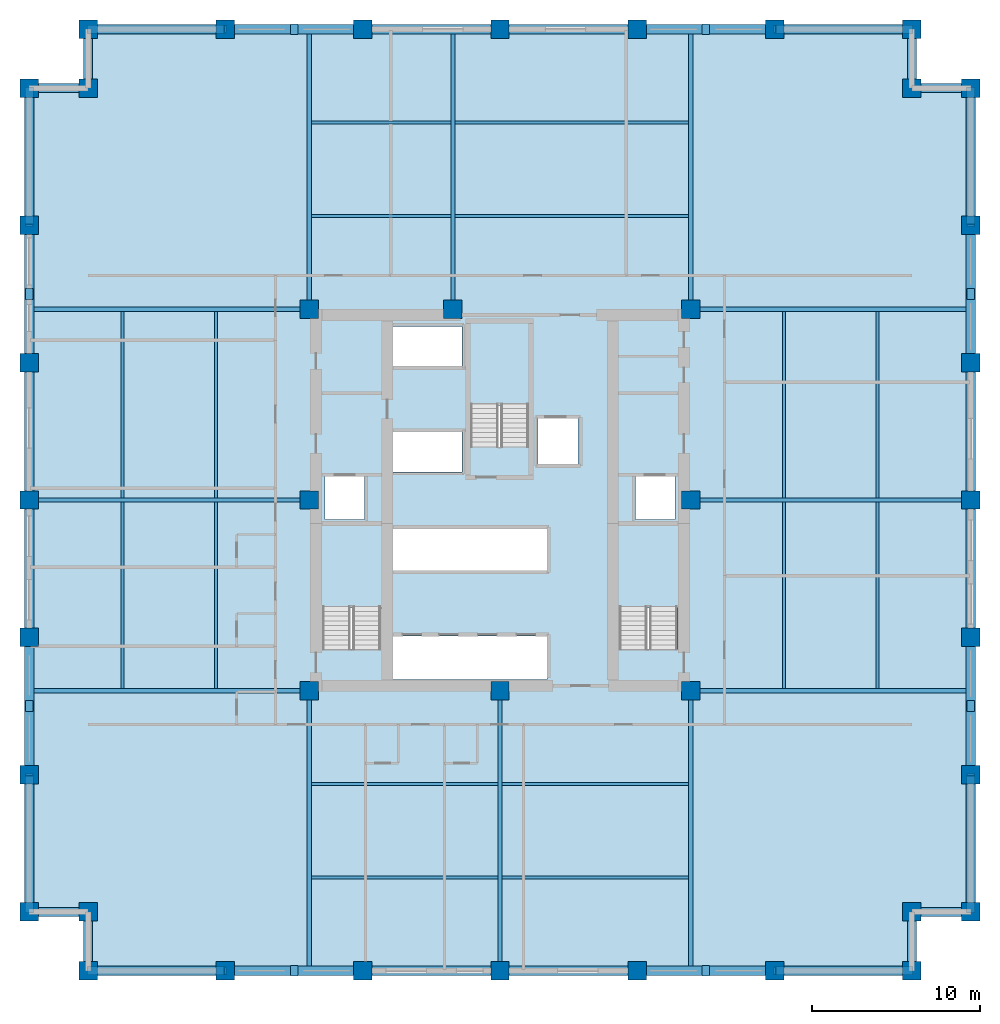
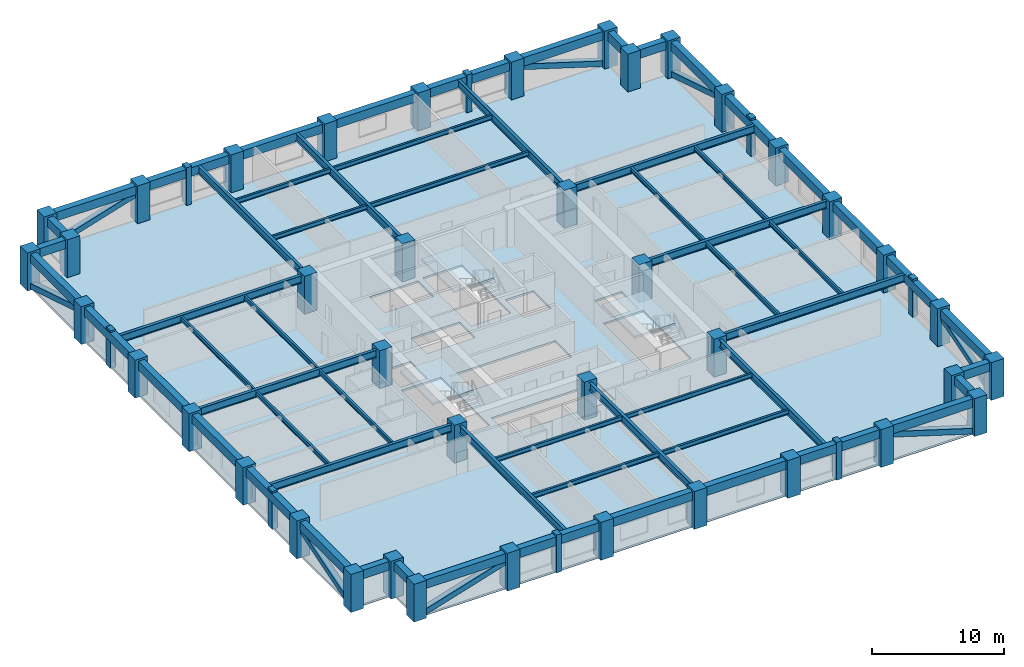
# One storey, part 1 of 7: 60 beams, 40 columns, 16 members, 4 slabs, 3 elements without a shape of their own.
"""IFC4 building model written with IfcOpenShell, lengths in metres."""

from ifc_helpers import new_model, si_unit, direction, frame, origin, origin_2d, place, context, subcontext, project, spatial, polyline, rectangle, hollow_rectangle, i_section, outline, extrude, material, layer, layer_set, material_profile, profile_set, type_object, element, aggregate, save


model = new_model("IFC4")

# Units and contexts
model_context = context("Model", 3, precision=1e-05, world=origin(), true_north=direction((0.0, 1.0)))
body_context = subcontext(model_context, "Body", "Model", "MODEL_VIEW")
ifc_project = project(units=[si_unit("LENGTHUNIT", "METRE"), si_unit("AREAUNIT", "SQUARE_METRE"), si_unit("VOLUMEUNIT", "CUBIC_METRE"), si_unit("PLANEANGLEUNIT", "RADIAN"), si_unit("MASSUNIT", "GRAM", prefix="KILO")], contexts=[model_context])

# Site, building, storey
site_placement = place(None, origin())
site = spatial("IfcSite", under=ifc_project, at=site_placement, CompositionType="ELEMENT")
building_placement = place(site_placement, origin())
building = spatial("IfcBuilding", under=site, at=building_placement, Name="Nhamokura Convention Tower", CompositionType="ELEMENT")
storey_placement = place(building_placement, frame((0.0, 0.0, 59.85009765625)))
storey = spatial("IfcBuildingStorey", under=building, at=storey_placement, Name="L13", CompositionType="ELEMENT", Elevation=59.85009765625)

# Columns
ifc_material_1 = material(Name="Concrete C60/75", Category="concrete")
ifc_material_profile_1 = material_profile(ifc_material_1, rectangle(XDim=1.10009765625, YDim=1.10009765625, at=origin_2d()))
ifc_profile_set_1 = profile_set([ifc_material_profile_1], Name="Concrete C60/75")
column_type = type_object("IfcColumnType", Name="TubeColumn_Z1_1100", PredefinedType="COLUMN", material=ifc_profile_set_1)
for number, where, z_axis, x_axis, name in (
    (1, (20.64990234375, 20.64990234375, 0.0), (0.0, 0.0, 1.0), (1.0, 0.0, 0.0), "L13 Core Column CC-SW"),
    (2, (32.0, 20.64990234375, 0.0), (0.0, 0.0, 1.0), (1.0, 0.0, 0.0), "L13 Core Column CC-S"),
    (3, (43.35009765625, 20.64990234375, 0.0), (0.0, 0.0, 1.0), (1.0, 0.0, 0.0), "L13 Core Column CC-SE"),
    (4, (43.35009765625, 32.0, 0.0), (0.0, 0.0, 1.0), (1.0, 0.0, 0.0), "L13 Core Column CC-E"),
    (5, (43.35009765625, 43.35009765625, 0.0), (0.0, 0.0, 1.0), (1.0, 0.0, 0.0), "L13 Core Column CC-NE"),
    (6, (29.199951171875, 43.35009765625, 0.0), (0.0, 0.0, 1.0), (1.0, 0.0, 0.0), "L13 Core Column CC-N"),
    (7, (20.64990234375, 43.35009765625, 0.0), (0.0, 0.0, 1.0), (1.0, 0.0, 0.0), "L13 Core Column CC-NW"),
    (8, (20.64990234375, 32.0, 0.0), (0.0, 0.0, 1.0), (1.0, 0.0, 0.0), "L13 Core Column CC-W"),
    (9, (7.5, 4.0, 0.0), (0.0, 0.0, 1.0), (1.0, 0.0, 0.0), "L13 Perimeter Tube Column SW1"),
    (10, (7.5, 7.5, 0.0), (0.0, 0.0, 1.0), (1.0, 0.0, 0.0), "L13 Perimeter Tube Column SW0"),
    (11, (4.0, 7.5, 0.0), (0.0, 0.0, 1.0), (1.0, 0.0, 0.0), "L13 Perimeter Tube Column SW2"),
    (12, (56.5, 4.0, 0.0), (0.0, 0.0, 1.0), (1.0, 0.0, 0.0), "L13 Perimeter Tube Column SE1"),
    (13, (56.5, 7.5, 0.0), (0.0, 0.0, 1.0), (1.0, 0.0, 0.0), "L13 Perimeter Tube Column SE0"),
    (14, (60.0, 7.5, 0.0), (0.0, 0.0, 1.0), (1.0, 0.0, 0.0), "L13 Perimeter Tube Column SE2"),
    (15, (60.0, 56.5, 0.0), (0.0, 0.0, 1.0), (1.0, 0.0, 0.0), "L13 Perimeter Tube Column NE1"),
    (16, (56.5, 56.5, 0.0), (0.0, 0.0, 1.0), (1.0, 0.0, 0.0), "L13 Perimeter Tube Column NE0"),
    (17, (56.5, 60.0, 0.0), (0.0, 0.0, 1.0), (1.0, 0.0, 0.0), "L13 Perimeter Tube Column NE2"),
    (18, (7.5, 60.0, 0.0), (0.0, 0.0, 1.0), (1.0, 0.0, 0.0), "L13 Perimeter Tube Column NW1"),
    (19, (7.5, 56.5, 0.0), (0.0, 0.0, 1.0), (1.0, 0.0, 0.0), "L13 Perimeter Tube Column NW0"),
    (20, (4.0, 56.5, 0.0), (0.0, 0.0, 1.0), (1.0, 0.0, 0.0), "L13 Perimeter Tube Column NW2"),
    (21, (15.666748046875, 4.0, 0.0), (0.0, 0.0, 1.0), (1.0, 0.0, 0.0), "L13 Perimeter Tube Column S1"),
    (22, (15.666748046875, 60.0, 0.0), (0.0, 0.0, 1.0), (1.0, 0.0, 0.0), "L13 Perimeter Tube Column N1"),
    (23, (4.0, 15.666748046875, 0.0), (0.0, 0.0, 1.0), (1.0, 0.0, 0.0), "L13 Perimeter Tube Column W1"),
    (24, (60.0, 15.666748046875, 0.0), (0.0, 0.0, 1.0), (1.0, 0.0, 0.0), "L13 Perimeter Tube Column E1"),
    (25, (23.833251953125, 4.0, 0.0), (0.0, 0.0, 1.0), (1.0, 0.0, 0.0), "L13 Perimeter Tube Column S2"),
    (26, (23.833251953125, 60.0, 0.0), (0.0, 0.0, 1.0), (1.0, 0.0, 0.0), "L13 Perimeter Tube Column N2"),
    (27, (4.0, 23.833251953125, 0.0), (0.0, 0.0, 1.0), (1.0, 0.0, 0.0), "L13 Perimeter Tube Column W2"),
    (28, (60.0, 23.833251953125, 0.0), (0.0, 0.0, 1.0), (1.0, 0.0, 0.0), "L13 Perimeter Tube Column E2"),
    (29, (32.0, 4.0, 0.0), (0.0, 0.0, 1.0), (1.0, 0.0, 0.0), "L13 Perimeter Tube Column S3"),
    (30, (32.0, 60.0, 0.0), (0.0, 0.0, 1.0), (1.0, 0.0, 0.0), "L13 Perimeter Tube Column N3"),
    (31, (4.0, 32.0, 0.0), (0.0, 0.0, 1.0), (1.0, 0.0, 0.0), "L13 Perimeter Tube Column W3"),
    (32, (60.0, 32.0, 0.0), (0.0, 0.0, 1.0), (1.0, 0.0, 0.0), "L13 Perimeter Tube Column E3"),
    (33, (40.166748046875, 4.0, 0.0), (0.0, 0.0, 1.0), (1.0, 0.0, 0.0), "L13 Perimeter Tube Column S4"),
    (34, (40.166748046875, 60.0, 0.0), (0.0, 0.0, 1.0), (1.0, 0.0, 0.0), "L13 Perimeter Tube Column N4"),
    (35, (4.0, 40.166748046875, 0.0), (0.0, 0.0, 1.0), (1.0, 0.0, 0.0), "L13 Perimeter Tube Column W4"),
    (36, (60.0, 40.166748046875, 0.0), (0.0, 0.0, 1.0), (1.0, 0.0, 0.0), "L13 Perimeter Tube Column E4"),
    (37, (48.333251953125, 4.0, 0.0), (0.0, 0.0, 1.0), (1.0, 0.0, 0.0), "L13 Perimeter Tube Column S5"),
    (38, (48.333251953125, 60.0, 0.0), (0.0, 0.0, 1.0), (1.0, 0.0, 0.0), "L13 Perimeter Tube Column N5"),
    (39, (4.0, 48.333251953125, 0.0), (0.0, 0.0, 1.0), (1.0, 0.0, 0.0), "L13 Perimeter Tube Column W5"),
    (40, (60.0, 48.333251953125, 0.0), (0.0, 0.0, 1.0), (1.0, 0.0, 0.0), "L13 Perimeter Tube Column E5"),
):
    element("IfcColumn", number, at=place(storey_placement, frame(where, z_axis=z_axis, x_axis=x_axis)), inside=storey, type_object=column_type, Name=name, PredefinedType="COLUMN", context=body_context, shape_type="SweptSolid", body=[
        extrude(rectangle(XDim=1.10009765625, YDim=1.10009765625, at=origin_2d()), origin(), (0.0, 0.0, 1.0), 3.5),
    ])

# Members
ifc_material_2 = material(Name="Bronze-pigmented precast concrete C45/55", Category="concrete")
ifc_material_profile_2 = material_profile(ifc_material_2, rectangle(XDim=0.449951171875, YDim=0.64990234375, at=origin_2d()))
ifc_profile_set_2 = profile_set([ifc_material_profile_2], Name="Bronze-pigmented precast concrete C45/55")
member_type_1 = type_object("IfcMemberType", Name="BronzePilaster_650", PredefinedType="USERDEFINED", material=ifc_profile_set_2)
for number, where, z_axis, x_axis, name in (
    (41, (19.75, 4.0, 0.0), (0.0, 0.0, 1.0), (1.0, 0.0, 0.0), "L13 Engaged Frame Pilaster SOUTH 1"),
    (42, (44.25, 4.0, 0.0), (0.0, 0.0, 1.0), (1.0, 0.0, 0.0), "L13 Engaged Frame Pilaster SOUTH 4"),
    (43, (19.75, 60.0, 0.0), (0.0, 0.0, 1.0), (1.0, 0.0, 0.0), "L13 Engaged Frame Pilaster NORTH 1"),
    (44, (44.25, 60.0, 0.0), (0.0, 0.0, 1.0), (1.0, 0.0, 0.0), "L13 Engaged Frame Pilaster NORTH 4"),
    (45, (4.0, 19.75, 0.0), (0.0, 0.0, 1.0), (1.0, 0.0, 0.0), "L13 Engaged Frame Pilaster WEST 1"),
    (46, (4.0, 44.25, 0.0), (0.0, 0.0, 1.0), (1.0, 0.0, 0.0), "L13 Engaged Frame Pilaster WEST 4"),
    (47, (60.0, 19.75, 0.0), (0.0, 0.0, 1.0), (1.0, 0.0, 0.0), "L13 Engaged Frame Pilaster EAST 1"),
    (48, (60.0, 44.25, 0.0), (0.0, 0.0, 1.0), (1.0, 0.0, 0.0), "L13 Engaged Frame Pilaster EAST 4"),
):
    element("IfcMember", number, at=place(storey_placement, frame(where, z_axis=z_axis, x_axis=x_axis)), inside=storey, type_object=member_type_1, Name=name, ObjectType="PILASTER_TRIM", PredefinedType="USERDEFINED", context=body_context, shape_type="SweptSolid", body=[
        extrude(rectangle(XDim=0.449951171875, YDim=0.64990234375, at=origin_2d()), origin(), (0.0, 0.0, 1.0), 3.5),
    ])

# Beams
ifc_material_3 = material(Name="Steel ASTM A992 Gr 50", Category="steel")
ifc_material_profile_3 = material_profile(ifc_material_3, i_section(OverallWidth=0.178955078125, OverallDepth=0.409912109375, WebThickness=0.0087890625, FlangeThickness=0.014404296875, at=origin_2d()))
ifc_profile_set_3 = profile_set([ifc_material_profile_3], Name="Steel ASTM A992 Gr 50")
beam_type_1 = type_object("IfcBeamType", Name="FloorJoist_W410X67", PredefinedType="JOIST", material=ifc_profile_set_3)
for number, where, z_axis, x_axis, name in (
    (49, (20.77587890625, 9.550048828125, 3.114990234375), (1.0, 0.0, 0.0), (0.0, 1.0, 0.0), "L13 Composite Floor Joist S1A"),
    (50, (32.1259765625, 9.550048828125, 3.114990234375), (1.0, 0.0, 0.0), (0.0, 1.0, 0.0), "L13 Composite Floor Joist S1B"),
    (51, (20.77587890625, 15.10009765625, 3.114990234375), (1.0, 0.0, 0.0), (0.0, 1.0, 0.0), "L13 Composite Floor Joist S2A"),
    (52, (32.1259765625, 15.10009765625, 3.114990234375), (1.0, 0.0, 0.0), (0.0, 1.0, 0.0), "L13 Composite Floor Joist S2B"),
):
    element("IfcBeam", number, at=place(storey_placement, frame(where, z_axis=z_axis, x_axis=x_axis)), inside=storey, type_object=beam_type_1, Name=name, PredefinedType="JOIST", context=body_context, shape_type="SweptSolid", body=[
        extrude(i_section(OverallWidth=0.178955078125, OverallDepth=0.409912109375, WebThickness=0.0087890625, FlangeThickness=0.014404296875, at=origin_2d()), origin(), (0.0, 0.0, 1.0), 11.09814453125),
    ])
beam_1_placement = place(storey_placement, frame((20.77587890625, 48.89990234375, 3.114990234375), z_axis=(1.0, 0.0, 0.0), x_axis=(0.0, 1.0, 0.0)))
element("IfcBeam", 53, at=beam_1_placement, inside=storey, type_object=beam_type_1, Name="L13 Composite Floor Joist N1A", PredefinedType="JOIST", context=body_context, shape_type="SweptSolid", body=[
    extrude(i_section(OverallWidth=0.178955078125, OverallDepth=0.409912109375, WebThickness=0.0087890625, FlangeThickness=0.014404296875, at=origin_2d()), origin(), (0.0, 0.0, 1.0), 8.298095703125),
])
beam_2_placement = place(storey_placement, frame((29.325927734375, 48.89990234375, 3.114990234375), z_axis=(1.0, 0.0, 0.0), x_axis=(0.0, 1.0, 0.0)))
element("IfcBeam", 54, at=beam_2_placement, inside=storey, type_object=beam_type_1, Name="L13 Composite Floor Joist N1B", PredefinedType="JOIST", context=body_context, shape_type="SweptSolid", body=[
    extrude(i_section(OverallWidth=0.178955078125, OverallDepth=0.409912109375, WebThickness=0.0087890625, FlangeThickness=0.014404296875, at=origin_2d()), origin(), (0.0, 0.0, 1.0), 13.898193359375),
])
beam_3_placement = place(storey_placement, frame((20.77587890625, 54.449951171875, 3.114990234375), z_axis=(1.0, 0.0, 0.0), x_axis=(0.0, 1.0, 0.0)))
element("IfcBeam", 55, at=beam_3_placement, inside=storey, type_object=beam_type_1, Name="L13 Composite Floor Joist N2A", PredefinedType="JOIST", context=body_context, shape_type="SweptSolid", body=[
    extrude(i_section(OverallWidth=0.178955078125, OverallDepth=0.409912109375, WebThickness=0.0087890625, FlangeThickness=0.014404296875, at=origin_2d()), origin(), (0.0, 0.0, 1.0), 8.298095703125),
])
beam_4_placement = place(storey_placement, frame((29.325927734375, 54.449951171875, 3.114990234375), z_axis=(1.0, 0.0, 0.0), x_axis=(0.0, 1.0, 0.0)))
element("IfcBeam", 56, at=beam_4_placement, inside=storey, type_object=beam_type_1, Name="L13 Composite Floor Joist N2B", PredefinedType="JOIST", context=body_context, shape_type="SweptSolid", body=[
    extrude(i_section(OverallWidth=0.178955078125, OverallDepth=0.409912109375, WebThickness=0.0087890625, FlangeThickness=0.014404296875, at=origin_2d()), origin(), (0.0, 0.0, 1.0), 13.898193359375),
])
for number, where, z_axis, x_axis, name in (
    (57, (9.550048828125, 20.77587890625, 3.114990234375), (0.0, 1.0, 0.0), (-1.0, 0.0, 0.0), "L13 Composite Floor Joist W1A"),
    (58, (9.550048828125, 32.1259765625, 3.114990234375), (0.0, 1.0, 0.0), (-1.0, 0.0, 0.0), "L13 Composite Floor Joist W1B"),
    (59, (15.10009765625, 20.77587890625, 3.114990234375), (0.0, 1.0, 0.0), (-1.0, 0.0, 0.0), "L13 Composite Floor Joist W2A"),
    (60, (15.10009765625, 32.1259765625, 3.114990234375), (0.0, 1.0, 0.0), (-1.0, 0.0, 0.0), "L13 Composite Floor Joist W2B"),
    (61, (48.89990234375, 20.77587890625, 3.114990234375), (0.0, 1.0, 0.0), (-1.0, 0.0, 0.0), "L13 Composite Floor Joist E1A"),
    (62, (48.89990234375, 32.1259765625, 3.114990234375), (0.0, 1.0, 0.0), (-1.0, 0.0, 0.0), "L13 Composite Floor Joist E1B"),
    (63, (54.449951171875, 20.77587890625, 3.114990234375), (0.0, 1.0, 0.0), (-1.0, 0.0, 0.0), "L13 Composite Floor Joist E2A"),
    (64, (54.449951171875, 32.1259765625, 3.114990234375), (0.0, 1.0, 0.0), (-1.0, 0.0, 0.0), "L13 Composite Floor Joist E2B"),
):
    element("IfcBeam", number, at=place(storey_placement, frame(where, z_axis=z_axis, x_axis=x_axis)), inside=storey, type_object=beam_type_1, Name=name, PredefinedType="JOIST", context=body_context, shape_type="SweptSolid", body=[
        extrude(i_section(OverallWidth=0.178955078125, OverallDepth=0.409912109375, WebThickness=0.0087890625, FlangeThickness=0.014404296875, at=origin_2d()), origin(), (0.0, 0.0, 1.0), 11.09814453125),
    ])
ifc_material_4 = material(Name="Steel ASTM A992 Gr 50", Category="steel")
ifc_material_profile_4 = material_profile(ifc_material_4, i_section(OverallWidth=0.256103515625, OverallDepth=0.693115234375, WebThickness=0.014404296875, FlangeThickness=0.023681640625, at=origin_2d()))
ifc_profile_set_4 = profile_set([ifc_material_profile_4], Name="Steel ASTM A992 Gr 50")
beam_type_2 = type_object("IfcBeamType", Name="PrimaryGirder_W690X170", PredefinedType="BEAM", material=ifc_profile_set_4)
for number, where, z_axis, x_axis, name in (
    (65, (20.64990234375, 4.0, 2.973388671875), (0.0, 1.0, 0.0), (-1.0, 0.0, 0.0), "L13 Primary Floor Girder PG-S1"),
    (66, (32.0, 4.0, 2.973388671875), (0.0, 1.0, 0.0), (-1.0, 0.0, 0.0), "L13 Primary Floor Girder PG-S2"),
    (67, (43.35009765625, 4.0, 2.973388671875), (0.0, 1.0, 0.0), (-1.0, 0.0, 0.0), "L13 Primary Floor Girder PG-S3"),
    (68, (20.64990234375, 43.35009765625, 2.973388671875), (0.0, 1.0, 0.0), (-1.0, 0.0, 0.0), "L13 Primary Floor Girder PG-N1"),
    (69, (29.199951171875, 43.35009765625, 2.973388671875), (0.0, 1.0, 0.0), (-1.0, 0.0, 0.0), "L13 Primary Floor Girder PG-N2"),
    (70, (43.35009765625, 43.35009765625, 2.973388671875), (0.0, 1.0, 0.0), (-1.0, 0.0, 0.0), "L13 Primary Floor Girder PG-N3"),
    (71, (4.0, 20.64990234375, 2.973388671875), (1.0, 0.0, 0.0), (0.0, 1.0, 0.0), "L13 Primary Floor Girder PG-W1"),
    (72, (4.0, 32.0, 2.973388671875), (1.0, 0.0, 0.0), (0.0, 1.0, 0.0), "L13 Primary Floor Girder PG-W2"),
    (73, (4.0, 43.35009765625, 2.973388671875), (1.0, 0.0, 0.0), (0.0, 1.0, 0.0), "L13 Primary Floor Girder PG-W3"),
    (74, (43.35009765625, 20.64990234375, 2.973388671875), (1.0, 0.0, 0.0), (0.0, 1.0, 0.0), "L13 Primary Floor Girder PG-E1"),
    (75, (43.35009765625, 32.0, 2.973388671875), (1.0, 0.0, 0.0), (0.0, 1.0, 0.0), "L13 Primary Floor Girder PG-E2"),
    (76, (43.35009765625, 43.35009765625, 2.973388671875), (1.0, 0.0, 0.0), (0.0, 1.0, 0.0), "L13 Primary Floor Girder PG-E3"),
):
    element("IfcBeam", number, at=place(storey_placement, frame(where, z_axis=z_axis, x_axis=x_axis)), inside=storey, type_object=beam_type_2, Name=name, PredefinedType="BEAM", context=body_context, shape_type="SweptSolid", body=[
        extrude(i_section(OverallWidth=0.256103515625, OverallDepth=0.693115234375, WebThickness=0.014404296875, FlangeThickness=0.023681640625, at=origin_2d()), origin(), (0.0, 0.0, 1.0), 16.64990234375),
    ])

# Members
ifc_material_5 = material(Name="Steel ASTM A572 Gr 50", Category="steel")
ifc_material_profile_5 = material_profile(ifc_material_5, hollow_rectangle(XDim=0.5, YDim=0.5, WallThickness=0.02490234375, at=origin_2d()))
ifc_profile_set_5 = profile_set([ifc_material_profile_5], Name="Steel ASTM A572 Gr 50")
member_type_2 = type_object("IfcMemberType", Name="TubeBrace_HSS500", PredefinedType="BRACE", material=ifc_profile_set_5)
for number, where, z_axis, x_axis, name in (
    (77, (7.5, 4.0, 0.14990234375), (0.955542765986, 0.0, 0.294852543437), (0.0, 1.0, 0.0), "L13 Perimeter Tube Brace SOUTH Bay 0"),
    (78, (56.5, 4.0, 0.14990234375), (-0.955542765986, 0.0, 0.294852543437), (0.0, -1.0, 0.0), "L13 Perimeter Tube Brace SOUTH Bay 5"),
    (79, (7.5, 60.0, 0.14990234375), (0.955542765986, 0.0, 0.294852543437), (0.0, 1.0, 0.0), "L13 Perimeter Tube Brace NORTH Bay 0"),
    (80, (56.5, 60.0, 0.14990234375), (-0.955542765986, 0.0, 0.294852543437), (0.0, -1.0, 0.0), "L13 Perimeter Tube Brace NORTH Bay 5"),
    (81, (4.0, 7.5, 0.14990234375), (0.0, 0.955542765986, 0.294852543437), (-1.0, 0.0, 0.0), "L13 Perimeter Tube Brace WEST Bay 0"),
    (82, (4.0, 56.5, 0.14990234375), (0.0, -0.955542765986, 0.294852543437), (1.0, 0.0, 0.0), "L13 Perimeter Tube Brace WEST Bay 5"),
    (83, (60.0, 7.5, 0.14990234375), (0.0, 0.955542765986, 0.294852543437), (-1.0, 0.0, 0.0), "L13 Perimeter Tube Brace EAST Bay 0"),
    (84, (60.0, 56.5, 0.14990234375), (0.0, -0.955542765986, 0.294852543437), (1.0, 0.0, 0.0), "L13 Perimeter Tube Brace EAST Bay 5"),
):
    element("IfcMember", number, at=place(storey_placement, frame(where, z_axis=z_axis, x_axis=x_axis)), inside=storey, type_object=member_type_2, Name=name, PredefinedType="BRACE", context=body_context, shape_type="SweptSolid", body=[
        extrude(hollow_rectangle(XDim=0.5, YDim=0.5, WallThickness=0.02490234375, at=origin_2d()), origin(), (0.0, 0.0, 1.0), 8.546630859375),
    ])

# Beams
ifc_material_6 = material(Name="Concrete C50/60", Category="concrete")
ifc_material_profile_6 = material_profile(ifc_material_6, rectangle(XDim=0.550048828125, YDim=0.800048828125, at=origin_2d()))
ifc_profile_set_6 = profile_set([ifc_material_profile_6], Name="Concrete C50/60")
beam_type_3 = type_object("IfcBeamType", Name="TubeSpandrel_800", PredefinedType="SPANDREL", material=ifc_profile_set_6)
beam_5_placement = place(storey_placement, frame((7.5, 4.0, 2.919921875), z_axis=(1.0, 0.0, 0.0), x_axis=(0.0, 1.0, 0.0)))
element("IfcBeam", 85, at=beam_5_placement, inside=storey, type_object=beam_type_3, Name="L13 Perimeter Spandrel SOUTH 1", PredefinedType="SPANDREL", context=body_context, shape_type="SweptSolid", body=[
    extrude(rectangle(XDim=0.550048828125, YDim=0.800048828125, at=origin_2d()), origin(), (0.0, 0.0, 1.0), 8.166748046875),
])
beam_6_placement = place(storey_placement, frame((15.666748046875, 4.0, 2.919921875), z_axis=(1.0, 0.0, 0.0), x_axis=(0.0, 1.0, 0.0)))
element("IfcBeam", 86, at=beam_6_placement, inside=storey, type_object=beam_type_3, Name="L13 Perimeter Spandrel SOUTH 2", PredefinedType="SPANDREL", context=body_context, shape_type="SweptSolid", body=[
    extrude(rectangle(XDim=0.550048828125, YDim=0.800048828125, at=origin_2d()), origin(), (0.0, 0.0, 1.0), 8.16650390625),
])
for number, where, z_axis, x_axis, name in (
    (87, (23.833251953125, 4.0, 2.919921875), (1.0, 0.0, 0.0), (0.0, 1.0, 0.0), "L13 Perimeter Spandrel SOUTH 3"),
    (88, (32.0, 4.0, 2.919921875), (1.0, 0.0, 0.0), (0.0, 1.0, 0.0), "L13 Perimeter Spandrel SOUTH 4"),
):
    element("IfcBeam", number, at=place(storey_placement, frame(where, z_axis=z_axis, x_axis=x_axis)), inside=storey, type_object=beam_type_3, Name=name, PredefinedType="SPANDREL", context=body_context, shape_type="SweptSolid", body=[
        extrude(rectangle(XDim=0.550048828125, YDim=0.800048828125, at=origin_2d()), origin(), (0.0, 0.0, 1.0), 8.166748046875),
    ])
beam_7_placement = place(storey_placement, frame((40.166748046875, 4.0, 2.919921875), z_axis=(1.0, 0.0, 0.0), x_axis=(0.0, 1.0, 0.0)))
element("IfcBeam", 89, at=beam_7_placement, inside=storey, type_object=beam_type_3, Name="L13 Perimeter Spandrel SOUTH 5", PredefinedType="SPANDREL", context=body_context, shape_type="SweptSolid", body=[
    extrude(rectangle(XDim=0.550048828125, YDim=0.800048828125, at=origin_2d()), origin(), (0.0, 0.0, 1.0), 8.16650390625),
])
for number, where, z_axis, x_axis, name in (
    (90, (48.333251953125, 4.0, 2.919921875), (1.0, 0.0, 0.0), (0.0, 1.0, 0.0), "L13 Perimeter Spandrel SOUTH 6"),
    (91, (7.5, 60.0, 2.919921875), (1.0, 0.0, 0.0), (0.0, 1.0, 0.0), "L13 Perimeter Spandrel NORTH 1"),
):
    element("IfcBeam", number, at=place(storey_placement, frame(where, z_axis=z_axis, x_axis=x_axis)), inside=storey, type_object=beam_type_3, Name=name, PredefinedType="SPANDREL", context=body_context, shape_type="SweptSolid", body=[
        extrude(rectangle(XDim=0.550048828125, YDim=0.800048828125, at=origin_2d()), origin(), (0.0, 0.0, 1.0), 8.166748046875),
    ])
beam_8_placement = place(storey_placement, frame((15.666748046875, 60.0, 2.919921875), z_axis=(1.0, 0.0, 0.0), x_axis=(0.0, 1.0, 0.0)))
element("IfcBeam", 92, at=beam_8_placement, inside=storey, type_object=beam_type_3, Name="L13 Perimeter Spandrel NORTH 2", PredefinedType="SPANDREL", context=body_context, shape_type="SweptSolid", body=[
    extrude(rectangle(XDim=0.550048828125, YDim=0.800048828125, at=origin_2d()), origin(), (0.0, 0.0, 1.0), 8.16650390625),
])
for number, where, z_axis, x_axis, name in (
    (93, (23.833251953125, 60.0, 2.919921875), (1.0, 0.0, 0.0), (0.0, 1.0, 0.0), "L13 Perimeter Spandrel NORTH 3"),
    (94, (32.0, 60.0, 2.919921875), (1.0, 0.0, 0.0), (0.0, 1.0, 0.0), "L13 Perimeter Spandrel NORTH 4"),
):
    element("IfcBeam", number, at=place(storey_placement, frame(where, z_axis=z_axis, x_axis=x_axis)), inside=storey, type_object=beam_type_3, Name=name, PredefinedType="SPANDREL", context=body_context, shape_type="SweptSolid", body=[
        extrude(rectangle(XDim=0.550048828125, YDim=0.800048828125, at=origin_2d()), origin(), (0.0, 0.0, 1.0), 8.166748046875),
    ])
beam_9_placement = place(storey_placement, frame((40.166748046875, 60.0, 2.919921875), z_axis=(1.0, 0.0, 0.0), x_axis=(0.0, 1.0, 0.0)))
element("IfcBeam", 95, at=beam_9_placement, inside=storey, type_object=beam_type_3, Name="L13 Perimeter Spandrel NORTH 5", PredefinedType="SPANDREL", context=body_context, shape_type="SweptSolid", body=[
    extrude(rectangle(XDim=0.550048828125, YDim=0.800048828125, at=origin_2d()), origin(), (0.0, 0.0, 1.0), 8.16650390625),
])
for number, where, z_axis, x_axis, name in (
    (96, (48.333251953125, 60.0, 2.919921875), (1.0, 0.0, 0.0), (0.0, 1.0, 0.0), "L13 Perimeter Spandrel NORTH 6"),
    (97, (4.0, 7.5, 2.919921875), (0.0, 1.0, 0.0), (-1.0, 0.0, 0.0), "L13 Perimeter Spandrel WEST 1"),
):
    element("IfcBeam", number, at=place(storey_placement, frame(where, z_axis=z_axis, x_axis=x_axis)), inside=storey, type_object=beam_type_3, Name=name, PredefinedType="SPANDREL", context=body_context, shape_type="SweptSolid", body=[
        extrude(rectangle(XDim=0.550048828125, YDim=0.800048828125, at=origin_2d()), origin(), (0.0, 0.0, 1.0), 8.166748046875),
    ])
beam_10_placement = place(storey_placement, frame((4.0, 15.666748046875, 2.919921875), z_axis=(0.0, 1.0, 0.0), x_axis=(-1.0, 0.0, 0.0)))
element("IfcBeam", 98, at=beam_10_placement, inside=storey, type_object=beam_type_3, Name="L13 Perimeter Spandrel WEST 2", PredefinedType="SPANDREL", context=body_context, shape_type="SweptSolid", body=[
    extrude(rectangle(XDim=0.550048828125, YDim=0.800048828125, at=origin_2d()), origin(), (0.0, 0.0, 1.0), 8.16650390625),
])
for number, where, z_axis, x_axis, name in (
    (99, (4.0, 23.833251953125, 2.919921875), (0.0, 1.0, 0.0), (-1.0, 0.0, 0.0), "L13 Perimeter Spandrel WEST 3"),
    (100, (4.0, 32.0, 2.919921875), (0.0, 1.0, 0.0), (-1.0, 0.0, 0.0), "L13 Perimeter Spandrel WEST 4"),
):
    element("IfcBeam", number, at=place(storey_placement, frame(where, z_axis=z_axis, x_axis=x_axis)), inside=storey, type_object=beam_type_3, Name=name, PredefinedType="SPANDREL", context=body_context, shape_type="SweptSolid", body=[
        extrude(rectangle(XDim=0.550048828125, YDim=0.800048828125, at=origin_2d()), origin(), (0.0, 0.0, 1.0), 8.166748046875),
    ])
beam_11_placement = place(storey_placement, frame((4.0, 40.166748046875, 2.919921875), z_axis=(0.0, 1.0, 0.0), x_axis=(-1.0, 0.0, 0.0)))
element("IfcBeam", 101, at=beam_11_placement, inside=storey, type_object=beam_type_3, Name="L13 Perimeter Spandrel WEST 5", PredefinedType="SPANDREL", context=body_context, shape_type="SweptSolid", body=[
    extrude(rectangle(XDim=0.550048828125, YDim=0.800048828125, at=origin_2d()), origin(), (0.0, 0.0, 1.0), 8.16650390625),
])
for number, where, z_axis, x_axis, name in (
    (102, (4.0, 48.333251953125, 2.919921875), (0.0, 1.0, 0.0), (-1.0, 0.0, 0.0), "L13 Perimeter Spandrel WEST 6"),
    (103, (60.0, 7.5, 2.919921875), (0.0, 1.0, 0.0), (-1.0, 0.0, 0.0), "L13 Perimeter Spandrel EAST 1"),
):
    element("IfcBeam", number, at=place(storey_placement, frame(where, z_axis=z_axis, x_axis=x_axis)), inside=storey, type_object=beam_type_3, Name=name, PredefinedType="SPANDREL", context=body_context, shape_type="SweptSolid", body=[
        extrude(rectangle(XDim=0.550048828125, YDim=0.800048828125, at=origin_2d()), origin(), (0.0, 0.0, 1.0), 8.166748046875),
    ])
beam_12_placement = place(storey_placement, frame((60.0, 15.666748046875, 2.919921875), z_axis=(0.0, 1.0, 0.0), x_axis=(-1.0, 0.0, 0.0)))
element("IfcBeam", 104, at=beam_12_placement, inside=storey, type_object=beam_type_3, Name="L13 Perimeter Spandrel EAST 2", PredefinedType="SPANDREL", context=body_context, shape_type="SweptSolid", body=[
    extrude(rectangle(XDim=0.550048828125, YDim=0.800048828125, at=origin_2d()), origin(), (0.0, 0.0, 1.0), 8.16650390625),
])
for number, where, z_axis, x_axis, name in (
    (105, (60.0, 23.833251953125, 2.919921875), (0.0, 1.0, 0.0), (-1.0, 0.0, 0.0), "L13 Perimeter Spandrel EAST 3"),
    (106, (60.0, 32.0, 2.919921875), (0.0, 1.0, 0.0), (-1.0, 0.0, 0.0), "L13 Perimeter Spandrel EAST 4"),
):
    element("IfcBeam", number, at=place(storey_placement, frame(where, z_axis=z_axis, x_axis=x_axis)), inside=storey, type_object=beam_type_3, Name=name, PredefinedType="SPANDREL", context=body_context, shape_type="SweptSolid", body=[
        extrude(rectangle(XDim=0.550048828125, YDim=0.800048828125, at=origin_2d()), origin(), (0.0, 0.0, 1.0), 8.166748046875),
    ])
beam_13_placement = place(storey_placement, frame((60.0, 40.166748046875, 2.919921875), z_axis=(0.0, 1.0, 0.0), x_axis=(-1.0, 0.0, 0.0)))
element("IfcBeam", 107, at=beam_13_placement, inside=storey, type_object=beam_type_3, Name="L13 Perimeter Spandrel EAST 5", PredefinedType="SPANDREL", context=body_context, shape_type="SweptSolid", body=[
    extrude(rectangle(XDim=0.550048828125, YDim=0.800048828125, at=origin_2d()), origin(), (0.0, 0.0, 1.0), 8.16650390625),
])
beam_14_placement = place(storey_placement, frame((60.0, 48.333251953125, 2.919921875), z_axis=(0.0, 1.0, 0.0), x_axis=(-1.0, 0.0, 0.0)))
element("IfcBeam", 108, at=beam_14_placement, inside=storey, type_object=beam_type_3, Name="L13 Perimeter Spandrel EAST 6", PredefinedType="SPANDREL", context=body_context, shape_type="SweptSolid", body=[
    extrude(rectangle(XDim=0.550048828125, YDim=0.800048828125, at=origin_2d()), origin(), (0.0, 0.0, 1.0), 8.166748046875),
])
for number, where, z_axis, x_axis, name in (
    (109, (7.5, 4.0, 2.919921875), (0.0, 1.0, 0.0), (-1.0, 0.0, 0.0), "L13 Notch Spandrel SW1"),
    (110, (7.5, 7.5, 2.919921875), (-1.0, 0.0, 0.0), (0.0, -1.0, 0.0), "L13 Notch Spandrel SW2"),
    (111, (56.5, 4.0, 2.919921875), (0.0, 1.0, 0.0), (-1.0, 0.0, 0.0), "L13 Notch Spandrel SE1"),
    (112, (56.5, 7.5, 2.919921875), (1.0, 0.0, 0.0), (0.0, 1.0, 0.0), "L13 Notch Spandrel SE2"),
    (113, (60.0, 56.5, 2.919921875), (-1.0, 0.0, 0.0), (0.0, -1.0, 0.0), "L13 Notch Spandrel NE1"),
    (114, (56.5, 56.5, 2.919921875), (0.0, 1.0, 0.0), (-1.0, 0.0, 0.0), "L13 Notch Spandrel NE2"),
    (115, (7.5, 60.0, 2.919921875), (0.0, -1.0, 0.0), (1.0, 0.0, 0.0), "L13 Notch Spandrel NW1"),
    (116, (7.5, 56.5, 2.919921875), (-1.0, 0.0, 0.0), (0.0, -1.0, 0.0), "L13 Notch Spandrel NW2"),
):
    element("IfcBeam", number, at=place(storey_placement, frame(where, z_axis=z_axis, x_axis=x_axis)), inside=storey, type_object=beam_type_3, Name=name, PredefinedType="SPANDREL", context=body_context, shape_type="SweptSolid", body=[
        extrude(rectangle(XDim=0.550048828125, YDim=0.800048828125, at=origin_2d()), origin(), (0.0, 0.0, 1.0), 3.5),
    ])

# Slab
ifc_material_7 = material(Name="Concrete C40/50", Category="concrete")
ifc_layer_1 = layer(ifc_material_7, 0.179931640625)
ifc_layer_set_1 = layer_set([ifc_layer_1], Name="HotelFloorSlab_180")
slab_type_1 = type_object("IfcSlabType", Name="HotelFloorSlab_180", PredefinedType="FLOOR", material=ifc_layer_set_1)
slab_1_placement = place(storey_placement, frame((0.0, 0.0, -0.18017578125)))
element("IfcSlab", 117, at=slab_1_placement, inside=storey, type_object=slab_type_1, Name="L13 Structural Floor Slab", PredefinedType="FLOOR", context=body_context, shape_type="SweptSolid", body=[
    extrude(outline(polyline([(7.5, 4.0), (56.5, 4.0), (56.5, 7.5), (60.0, 7.5), (60.0, 56.5), (56.5, 56.5), (56.5, 60.0), (7.5, 60.0), (7.5, 56.5), (4.0, 56.5), (4.0, 7.5), (7.5, 7.5), (7.5, 4.0)]), holes=[polyline([(24.89990234375, 23.10009765625), (24.89990234375, 30.449951171875), (21.449951171875, 30.449951171875), (21.449951171875, 23.10009765625), (24.89990234375, 23.10009765625)]), polyline([(42.550048828125, 23.10009765625), (42.550048828125, 30.449951171875), (39.10009765625, 30.449951171875), (39.10009765625, 23.10009765625), (42.550048828125, 23.10009765625)]), polyline([(33.699951171875, 35.14990234375), (33.699951171875, 42.5), (30.25, 42.5), (30.25, 35.14990234375), (33.699951171875, 35.14990234375)]), polyline([(21.60009765625, 30.85009765625), (23.949951171875, 30.85009765625), (23.949951171875, 33.39990234375), (21.60009765625, 33.39990234375), (21.60009765625, 30.85009765625)]), polyline([(40.050048828125, 30.85009765625), (42.39990234375, 30.85009765625), (42.39990234375, 33.39990234375), (40.050048828125, 33.39990234375), (40.050048828125, 30.85009765625)]), polyline([(34.25, 34.14990234375), (36.64990234375, 34.14990234375), (36.64990234375, 36.85009765625), (34.25, 36.85009765625), (34.25, 34.14990234375)]), polyline([(25.52001953125, 21.320068359375), (34.800048828125, 21.320068359375), (34.800048828125, 23.89990234375), (25.52001953125, 23.89990234375), (25.52001953125, 21.320068359375)]), polyline([(25.52001953125, 27.800048828125), (34.800048828125, 27.800048828125), (34.800048828125, 30.300048828125), (25.52001953125, 30.300048828125), (25.52001953125, 27.800048828125)]), polyline([(25.52001953125, 33.679931640625), (29.75, 33.679931640625), (29.75, 36.050048828125), (25.52001953125, 36.050048828125), (25.52001953125, 33.679931640625)]), polyline([(25.52001953125, 39.949951171875), (29.75, 39.949951171875), (29.75, 42.320068359375), (25.52001953125, 42.320068359375), (25.52001953125, 39.949951171875)])]), origin(), (0.0, 0.0, 1.0), 0.18017578125),
])

# Stair, slab
ifc_material_8 = material(Name="Concrete C40/50", Category="concrete")
stair_type = type_object("IfcStairType", Name="TowerCoreStair_1650", PredefinedType="HALF_TURN_STAIR", material=ifc_material_8)
stair_1_placement = place(storey_placement, origin())
stair_1 = element("IfcStair", 118, at=stair_1_placement, inside=storey, type_object=stair_type, Name="L13 West Core Smokeproof Stair ST-01", PredefinedType="HALF_TURN_STAIR")
ifc_material_9 = material(Name="Concrete C40/50", Category="concrete")
ifc_layer_2 = layer(ifc_material_9, 0.199951171875)
ifc_layer_set_2 = layer_set([ifc_layer_2], Name="StairLandingSlab_200")
slab_type_2 = type_object("IfcSlabType", Name="StairLandingSlab_200", PredefinedType="LANDING", material=ifc_layer_set_2)
slab_2_placement = place(storey_placement, frame((0.0, 0.0, 1.5498046875)))
slab_2 = element("IfcSlab", 119, at=slab_2_placement, type_object=slab_type_2, Name="ST-01 landing 1", PredefinedType="LANDING", context=body_context, shape_type="SweptSolid", body=[
    extrude(outline(polyline([(24.97998046875, 25.5849609375), (24.97998046875, 30.530029296875), (21.3701171875, 30.530029296875), (21.3701171875, 25.5849609375), (24.97998046875, 25.5849609375)])), origin(), (0.0, 0.0, 1.0), 0.2001953125),
])
aggregate(stair_1, [slab_2])

stair_2_placement = place(storey_placement, origin())
stair_2 = element("IfcStair", 120, at=stair_2_placement, inside=storey, type_object=stair_type, Name="L13 East Core Smokeproof Stair ST-02", PredefinedType="HALF_TURN_STAIR")
slab_3_placement = place(storey_placement, frame((0.0, 0.0, 1.5498046875)))
slab_3 = element("IfcSlab", 121, at=slab_3_placement, type_object=slab_type_2, Name="ST-02 landing 1", PredefinedType="LANDING", context=body_context, shape_type="SweptSolid", body=[
    extrude(outline(polyline([(42.6298828125, 25.5849609375), (42.6298828125, 30.530029296875), (39.02001953125, 30.530029296875), (39.02001953125, 25.5849609375), (42.6298828125, 25.5849609375)])), origin(), (0.0, 0.0, 1.0), 0.2001953125),
])
aggregate(stair_2, [slab_3])

stair_3_placement = place(storey_placement, origin())
stair_3 = element("IfcStair", 122, at=stair_3_placement, inside=storey, type_object=stair_type, Name="L13 North Core Smokeproof Stair ST-03", PredefinedType="HALF_TURN_STAIR")
slab_4_placement = place(storey_placement, frame((0.0, 0.0, 1.5498046875)))
slab_4 = element("IfcSlab", 123, at=slab_4_placement, type_object=slab_type_2, Name="ST-03 landing 1", PredefinedType="LANDING", context=body_context, shape_type="SweptSolid", body=[
    extrude(outline(polyline([(33.780029296875, 37.635009765625), (33.780029296875, 42.580078125), (30.169921875, 42.580078125), (30.169921875, 37.635009765625), (33.780029296875, 37.635009765625)])), origin(), (0.0, 0.0, 1.0), 0.2001953125),
])
aggregate(stair_3, [slab_4])

save(model, "model.ifc")
